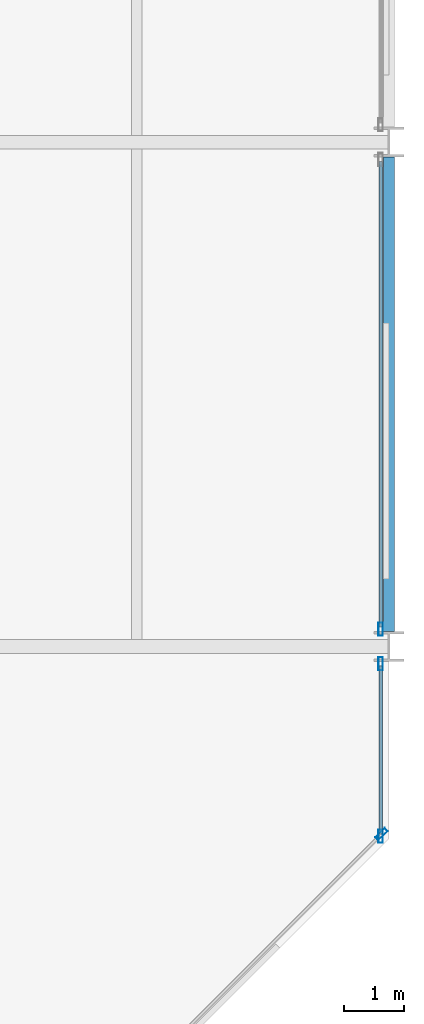
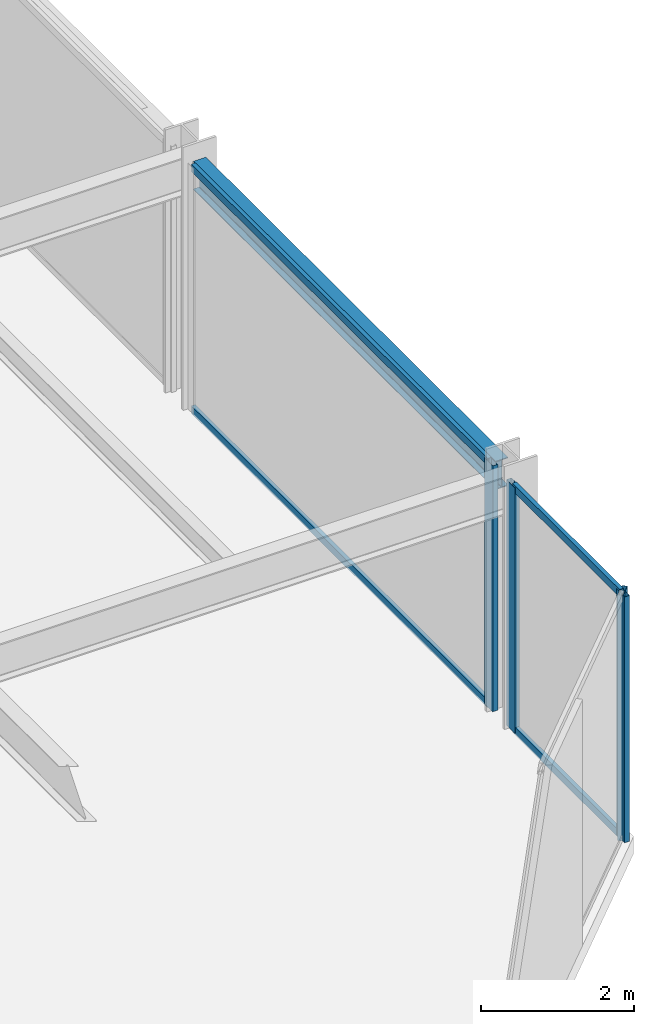
# One storey, part 11 of 24: 8 members, 1 beam, 3 elements without a shape of their own.
"""IFC4 building model written with IfcOpenShell, lengths in metres."""

from ifc_helpers import new_model, si_unit, direction, frame, origin, origin_2d, place, context, subcontext, project, spatial, hollow_rectangle, i_section, extrude, material, layer, layer_set, material_profile, profile_set, type_object, element, aggregate, save


model = new_model("IFC4")

# Units and contexts
model_context = context("Model", 3, precision=1e-05, world=origin(), true_north=direction((0.0, 1.0)))
body_context = subcontext(model_context, "Body", "Model", "MODEL_VIEW")
ifc_project = project(units=[si_unit("LENGTHUNIT", "METRE"), si_unit("AREAUNIT", "SQUARE_METRE"), si_unit("VOLUMEUNIT", "CUBIC_METRE"), si_unit("PLANEANGLEUNIT", "RADIAN"), si_unit("MASSUNIT", "GRAM", prefix="KILO")], contexts=[model_context])

# Site, building, storey
site_placement = place(None, origin())
site = spatial("IfcSite", under=ifc_project, at=site_placement, CompositionType="ELEMENT")
building_placement = place(site_placement, origin())
building = spatial("IfcBuilding", under=site, at=building_placement, Name="Nerrivon Quay Data Exchange", CompositionType="ELEMENT")
storey_placement = place(building_placement, frame((0.0, 0.0, 45.800048828125)))
storey = spatial("IfcBuildingStorey", under=building, at=storey_placement, Name="L10", CompositionType="ELEMENT", Elevation=45.800048828125)

# Beam
ifc_material_1 = material(Name="Steel Grade 350", Category="steel")
ifc_material_profile_1 = material_profile(ifc_material_1, i_section(OverallWidth=0.18994140625, OverallDepth=0.4541015625, WebThickness=0.008544921875, FlangeThickness=0.0126953125, FilletRadius=0.011474609375, at=origin_2d()), Name="460UB67.1")
ifc_profile_set_1 = profile_set([ifc_material_profile_1], Name="Steel Grade 350")
beam_type = type_object("IfcBeamType", Name="BM-SP1-460UB67", PredefinedType="SPANDREL", material=ifc_profile_set_1)
beam_placement = place(storey_placement, frame((50.39990234375, 8.64990234375, 3.697998046875), z_axis=(0.0, 1.0, 0.0), x_axis=(-1.0, 0.0, 0.0)))
element("IfcBeam", 1, at=beam_placement, inside=storey, type_object=beam_type, Name="L10 NS Girder X=50.4 (8.4..16.8)", PredefinedType="SPANDREL", context=body_context, shape_type="SweptSolid", body=[
    extrude(i_section(OverallWidth=0.18994140625, OverallDepth=0.4541015625, WebThickness=0.008544921875, FlangeThickness=0.0126953125, FilletRadius=0.011474609375, at=origin_2d()), origin(), (0.0, 0.0, 1.0), 7.900146484375),
])

# Curtain wall, member
ifc_material_2 = material(Name="Anodised aluminium 6063-T6", Category="aluminium")
ifc_layer = layer(ifc_material_2, 0.219970703125)
ifc_layer_set = layer_set([ifc_layer], Name="Anodised aluminium 6063-T6")
curtain_wall_type = type_object("IfcCurtainWallType", Name="CW-SYS-01", PredefinedType="NOTDEFINED", material=ifc_layer_set)
curtain_wall_1_placement = place(storey_placement, origin())
curtain_wall_1 = element("IfcCurtainWall", 2, at=curtain_wall_1_placement, inside=storey, type_object=curtain_wall_type, Name="L10 Unitised Curtain Wall 1", PredefinedType="NOTDEFINED")
ifc_material_profile_2 = material_profile(ifc_material_2, hollow_rectangle(XDim=0.074951171875, YDim=0.219970703125, WallThickness=0.00390625, at=origin_2d()), Name="ALU-MULL-220x75")
ifc_profile_set_2 = profile_set([ifc_material_profile_2], Name="Anodised aluminium 6063-T6")
member_type_1 = type_object("IfcMemberType", Name="CWM-220x75", PredefinedType="MULLION", material=ifc_profile_set_2)
member_1_placement = place(storey_placement, frame((50.2744140625, 5.2724609375, 0.0), z_axis=(0.0, 0.0, 1.0), x_axis=(0.707106781187, -0.707106781187, 0.0)))
member_1 = element("IfcMember", 3, at=member_1_placement, type_object=member_type_1, Name="CW01 mullion 1", PredefinedType="MULLION", context=body_context, shape_type="SweptSolid", body=[
    extrude(hollow_rectangle(XDim=0.074951171875, YDim=0.219970703125, WallThickness=0.00390625, at=origin_2d()), origin(), (0.0, 0.0, 1.0), 3.925048828125),
])
aggregate(curtain_wall_1, [member_1])

curtain_wall_2_placement = place(storey_placement, origin())
curtain_wall_2 = element("IfcCurtainWall", 4, at=curtain_wall_2_placement, inside=storey, type_object=curtain_wall_type, Name="L10 Unitised Curtain Wall 32", PredefinedType="NOTDEFINED")
member_2_placement = place(storey_placement, frame((50.260009765625, 8.6875, 0.0), z_axis=(0.0, 0.0, 1.0), x_axis=(1.0, 0.0, 0.0)))
member_2 = element("IfcMember", 5, at=member_2_placement, type_object=member_type_1, Name="CW01 mullion 2", PredefinedType="MULLION", context=body_context, shape_type="SweptSolid", body=[
    extrude(hollow_rectangle(XDim=0.074951171875, YDim=0.219970703125, WallThickness=0.00390625, at=origin_2d()), origin(), (0.0, 0.0, 1.0), 3.925048828125),
])

# Curtain wall, members
curtain_wall_3_placement = place(storey_placement, origin())
curtain_wall_3 = element("IfcCurtainWall", 6, at=curtain_wall_3_placement, inside=storey, type_object=curtain_wall_type, Name="L10 Unitised Curtain Wall 33", PredefinedType="NOTDEFINED")
member_3_placement = place(storey_placement, frame((50.260009765625, 8.112548828125, 0.0), z_axis=(0.0, 0.0, 1.0), x_axis=(1.0, 0.0, 0.0)))
member_3 = element("IfcMember", 7, at=member_3_placement, type_object=member_type_1, Name="CW01 mullion 1", PredefinedType="MULLION", context=body_context, shape_type="SweptSolid", body=[
    extrude(hollow_rectangle(XDim=0.074951171875, YDim=0.219970703125, WallThickness=0.00390625, at=origin_2d()), origin(), (0.0, 0.0, 1.0), 3.925048828125),
])
member_4_placement = place(storey_placement, frame((50.260009765625, 5.237548828125, 0.0), z_axis=(0.0, 0.0, 1.0), x_axis=(1.0, 0.0, 0.0)))
member_4 = element("IfcMember", 8, at=member_4_placement, type_object=member_type_1, Name="CW01 mullion 2", PredefinedType="MULLION", context=body_context, shape_type="SweptSolid", body=[
    extrude(hollow_rectangle(XDim=0.074951171875, YDim=0.219970703125, WallThickness=0.00390625, at=origin_2d()), origin(), (0.0, 0.0, 1.0), 3.925048828125),
])

# Member
ifc_material_profile_3 = material_profile(ifc_material_2, hollow_rectangle(XDim=0.06005859375, YDim=0.1201171875, WallThickness=0.003173828125, at=origin_2d()), Name="ALU-TRAN-120x60")
ifc_profile_set_3 = profile_set([ifc_material_profile_3], Name="Anodised aluminium 6063-T6")
member_type_2 = type_object("IfcMemberType", Name="CWT-120x60", PredefinedType="USERDEFINED", material=ifc_profile_set_3)
member_5_placement = place(storey_placement, frame((50.260009765625, 16.47509765625, 0.032470703125), z_axis=(0.0, -1.0, 0.0), x_axis=(1.0, 0.0, 0.0)))
member_5 = element("IfcMember", 9, at=member_5_placement, type_object=member_type_2, Name="CW01 transom 1.1", ObjectType="TRANSOM", PredefinedType="USERDEFINED", context=body_context, shape_type="SweptSolid", body=[
    extrude(hollow_rectangle(XDim=0.06005859375, YDim=0.1201171875, WallThickness=0.003173828125, at=origin_2d()), origin(), (0.0, 0.0, 1.0), 7.75),
])

member_6_placement = place(storey_placement, frame((50.260009765625, 16.47509765625, 3.892333984375), z_axis=(0.0, -1.0, 0.0), x_axis=(1.0, 0.0, 0.0)))
member_6 = element("IfcMember", 10, at=member_6_placement, type_object=member_type_2, Name="CW01 transom 1.2", ObjectType="TRANSOM", PredefinedType="USERDEFINED", context=body_context, shape_type="SweptSolid", body=[
    extrude(hollow_rectangle(XDim=0.06005859375, YDim=0.1201171875, WallThickness=0.003173828125, at=origin_2d()), origin(), (0.0, 0.0, 1.0), 7.75),
])

aggregate(curtain_wall_2, [member_2, member_5, member_6])

member_7_placement = place(storey_placement, frame((50.260009765625, 8.074951171875, 0.032470703125), z_axis=(0.0, -1.0, 0.0), x_axis=(1.0, 0.0, 0.0)))
member_7 = element("IfcMember", 11, at=member_7_placement, type_object=member_type_2, Name="CW01 transom 1.1", ObjectType="TRANSOM", PredefinedType="USERDEFINED", context=body_context, shape_type="SweptSolid", body=[
    extrude(hollow_rectangle(XDim=0.06005859375, YDim=0.1201171875, WallThickness=0.003173828125, at=origin_2d()), origin(), (0.0, 0.0, 1.0), 2.800048828125),
])

member_8_placement = place(storey_placement, frame((50.260009765625, 8.074951171875, 3.892333984375), z_axis=(0.0, -1.0, 0.0), x_axis=(1.0, 0.0, 0.0)))
member_8 = element("IfcMember", 12, at=member_8_placement, type_object=member_type_2, Name="CW01 transom 1.2", ObjectType="TRANSOM", PredefinedType="USERDEFINED", context=body_context, shape_type="SweptSolid", body=[
    extrude(hollow_rectangle(XDim=0.06005859375, YDim=0.1201171875, WallThickness=0.003173828125, at=origin_2d()), origin(), (0.0, 0.0, 1.0), 2.800048828125),
])

aggregate(curtain_wall_3, [member_3, member_4, member_7, member_8])

save(model, "model.ifc")
